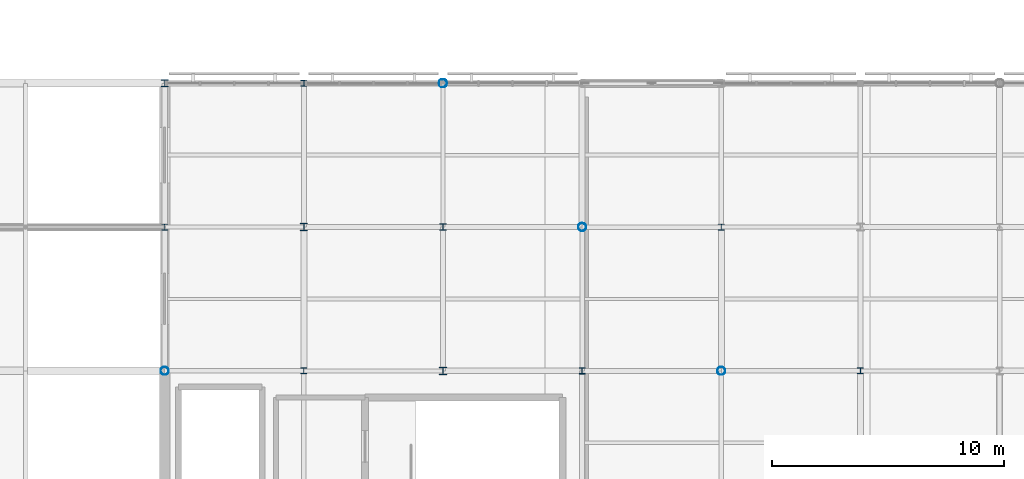
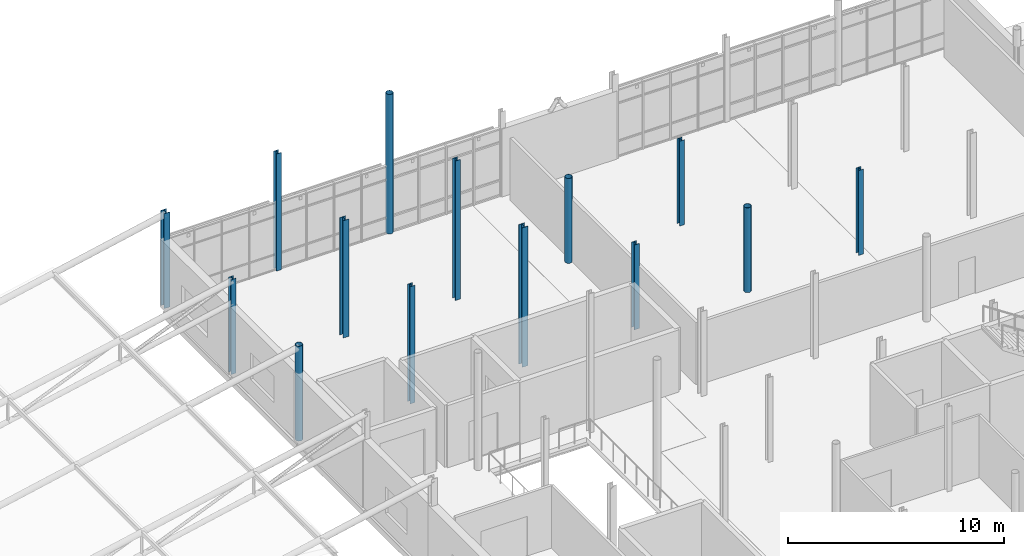
# One storey, part 6 of 84: 14 columns.
"""IFC4 building model written with IfcOpenShell, lengths in metres."""

from ifc_helpers import new_model, si_unit, direction, frame, origin, origin_2d, place, context, subcontext, project, spatial, hollow_circle, i_section, extrude, material, material_profile, profile_set, type_object, element, save


model = new_model("IFC4")

# Units and contexts
model_context = context("Model", 3, precision=1e-05, world=origin(), true_north=direction((0.0, 1.0)))
body_context = subcontext(model_context, "Body", "Model", "MODEL_VIEW")
ifc_project = project(units=[si_unit("LENGTHUNIT", "METRE"), si_unit("AREAUNIT", "SQUARE_METRE"), si_unit("VOLUMEUNIT", "CUBIC_METRE"), si_unit("PLANEANGLEUNIT", "RADIAN"), si_unit("MASSUNIT", "GRAM", prefix="KILO")], contexts=[model_context])

# Site, building, storey
site_placement = place(None, origin())
site = spatial("IfcSite", under=ifc_project, at=site_placement, CompositionType="ELEMENT")
building_placement = place(site_placement, origin())
building = spatial("IfcBuilding", under=site, at=building_placement, Name="Mirzam Square Science Centre", CompositionType="ELEMENT")
storey_placement = place(building_placement, frame((0.0, 0.0, 10.800048828125)))
storey = spatial("IfcBuildingStorey", under=building, at=storey_placement, Name="L02", CompositionType="ELEMENT", Elevation=10.800048828125)

# Columns
ifc_material = material(Name="Steel S355", Category="steel")
ifc_material_profile_1 = material_profile(ifc_material, hollow_circle(Radius=0.177734375, WallThickness=0.012451171875, at=origin_2d()), Name="355.6x12.5CHS")
ifc_profile_set_1 = profile_set([ifc_material_profile_1], Name="Steel S355")
column_type_1 = type_object("IfcColumnType", Name="COL-CHS355", PredefinedType="COLUMN", material=ifc_profile_set_1)
column_1_placement = place(storey_placement, frame((18.0, 68.199951171875, 0.0), z_axis=(0.0, 0.0, 1.0), x_axis=(1.0, 0.0, 0.0)))
element("IfcColumn", 1, at=column_1_placement, inside=storey, type_object=column_type_1, Name="L02 column G04-12", PredefinedType="COLUMN", context=body_context, shape_type="SweptSolid", body=[
    extrude(hollow_circle(Radius=0.177734375, WallThickness=0.012451171875, at=origin_2d()), origin(), (0.0, 0.0, 1.0), 5.369873046875),
])
column_2_placement = place(storey_placement, frame((30.0, 80.60009765625, 0.0), z_axis=(0.0, 0.0, 1.0), x_axis=(1.0, 0.0, 0.0)))
element("IfcColumn", 2, at=column_2_placement, inside=storey, type_object=column_type_1, Name="L02 column G06-14", PredefinedType="COLUMN", context=body_context, shape_type="SweptSolid", body=[
    extrude(hollow_circle(Radius=0.177734375, WallThickness=0.012451171875, at=origin_2d()), origin(), (0.0, 0.0, 1.0), 7.889892578125),
])
for number, where, z_axis, x_axis, name in (
    (3, (36.0, 74.39990234375, 0.0), (0.0, 0.0, 1.0), (1.0, 0.0, 0.0), "L02 column G07-13"),
    (4, (42.0, 68.199951171875, 0.0), (0.0, 0.0, 1.0), (1.0, 0.0, 0.0), "L02 column G08-12"),
):
    element("IfcColumn", number, at=place(storey_placement, frame(where, z_axis=z_axis, x_axis=x_axis)), inside=storey, type_object=column_type_1, Name=name, PredefinedType="COLUMN", context=body_context, shape_type="SweptSolid", body=[
        extrude(hollow_circle(Radius=0.177734375, WallThickness=0.012451171875, at=origin_2d()), origin(), (0.0, 0.0, 1.0), 4.800048828125),
    ])
ifc_material_profile_2 = material_profile(ifc_material, i_section(OverallWidth=0.25634765625, OverallDepth=0.26025390625, WebThickness=0.01025390625, FlangeThickness=0.017333984375, FilletRadius=0.0126953125, at=origin_2d()), Name="254x254x89UC")
ifc_profile_set_2 = profile_set([ifc_material_profile_2], Name="Steel S355")
column_type_2 = type_object("IfcColumnType", Name="COL-UC254A", PredefinedType="COLUMN", material=ifc_profile_set_2)
column_3_placement = place(storey_placement, frame((18.0, 74.39990234375, 0.0), z_axis=(0.0, 0.0, 1.0), x_axis=(1.0, 0.0, 0.0)))
element("IfcColumn", 5, at=column_3_placement, inside=storey, type_object=column_type_2, Name="L02 column G04-13", PredefinedType="COLUMN", context=body_context, shape_type="SweptSolid", body=[
    extrude(i_section(OverallWidth=0.25634765625, OverallDepth=0.26025390625, WebThickness=0.01025390625, FlangeThickness=0.017333984375, FilletRadius=0.0126953125, at=origin_2d()), origin(), (0.0, 0.0, 1.0), 5.369873046875),
])
column_4_placement = place(storey_placement, frame((24.0, 68.199951171875, 0.0), z_axis=(0.0, 0.0, 1.0), x_axis=(1.0, 0.0, 0.0)))
element("IfcColumn", 6, at=column_4_placement, inside=storey, type_object=column_type_2, Name="L02 column G05-12", PredefinedType="COLUMN", context=body_context, shape_type="SweptSolid", body=[
    extrude(i_section(OverallWidth=0.25634765625, OverallDepth=0.26025390625, WebThickness=0.01025390625, FlangeThickness=0.017333984375, FilletRadius=0.0126953125, at=origin_2d()), origin(), (0.0, 0.0, 1.0), 6.6298828125),
])
for number, where, z_axis, x_axis, name in (
    (7, (42.0, 74.39990234375, 0.0), (0.0, 0.0, 1.0), (1.0, 0.0, 0.0), "L02 column G08-13"),
    (8, (48.0, 68.199951171875, 0.0), (0.0, 0.0, 1.0), (1.0, 0.0, 0.0), "L02 column G09-12"),
):
    element("IfcColumn", number, at=place(storey_placement, frame(where, z_axis=z_axis, x_axis=x_axis)), inside=storey, type_object=column_type_2, Name=name, PredefinedType="COLUMN", context=body_context, shape_type="SweptSolid", body=[
        extrude(i_section(OverallWidth=0.25634765625, OverallDepth=0.26025390625, WebThickness=0.01025390625, FlangeThickness=0.017333984375, FilletRadius=0.0126953125, at=origin_2d()), origin(), (0.0, 0.0, 1.0), 4.800048828125),
    ])
ifc_material_profile_3 = material_profile(ifc_material, i_section(OverallWidth=0.26123046875, OverallDepth=0.2763671875, WebThickness=0.015380859375, FlangeThickness=0.025390625, FilletRadius=0.0126953125, at=origin_2d()), Name="254x254x132UC")
ifc_profile_set_3 = profile_set([ifc_material_profile_3], Name="Steel S355")
column_type_3 = type_object("IfcColumnType", Name="COL-UC254B", PredefinedType="COLUMN", material=ifc_profile_set_3)
column_5_placement = place(storey_placement, frame((24.0, 80.60009765625, 0.0), z_axis=(0.0, 0.0, 1.0), x_axis=(1.0, 0.0, 0.0)))
element("IfcColumn", 9, at=column_5_placement, inside=storey, type_object=column_type_3, Name="L02 column G05-14", PredefinedType="COLUMN", context=body_context, shape_type="SweptSolid", body=[
    extrude(i_section(OverallWidth=0.26123046875, OverallDepth=0.2763671875, WebThickness=0.015380859375, FlangeThickness=0.025390625, FilletRadius=0.0126953125, at=origin_2d()), origin(), (0.0, 0.0, 1.0), 6.6298828125),
])
column_6_placement = place(storey_placement, frame((30.0, 74.39990234375, 0.0), z_axis=(0.0, 0.0, 1.0), x_axis=(1.0, 0.0, 0.0)))
element("IfcColumn", 10, at=column_6_placement, inside=storey, type_object=column_type_3, Name="L02 column G06-13", PredefinedType="COLUMN", context=body_context, shape_type="SweptSolid", body=[
    extrude(i_section(OverallWidth=0.26123046875, OverallDepth=0.2763671875, WebThickness=0.015380859375, FlangeThickness=0.025390625, FilletRadius=0.0126953125, at=origin_2d()), origin(), (0.0, 0.0, 1.0), 7.889892578125),
])
column_7_placement = place(storey_placement, frame((36.0, 68.199951171875, 0.0), z_axis=(0.0, 0.0, 1.0), x_axis=(1.0, 0.0, 0.0)))
element("IfcColumn", 11, at=column_7_placement, inside=storey, type_object=column_type_3, Name="L02 column G07-12", PredefinedType="COLUMN", context=body_context, shape_type="SweptSolid", body=[
    extrude(i_section(OverallWidth=0.26123046875, OverallDepth=0.2763671875, WebThickness=0.015380859375, FlangeThickness=0.025390625, FilletRadius=0.0126953125, at=origin_2d()), origin(), (0.0, 0.0, 1.0), 4.800048828125),
])
ifc_material_profile_4 = material_profile(ifc_material, i_section(OverallWidth=0.30908203125, OverallDepth=0.320556640625, WebThickness=0.013916015625, FlangeThickness=0.021728515625, FilletRadius=0.01513671875, at=origin_2d()), Name="305x305x137UC")
ifc_profile_set_4 = profile_set([ifc_material_profile_4], Name="Steel S355")
column_type_4 = type_object("IfcColumnType", Name="COL-UC305A", PredefinedType="COLUMN", material=ifc_profile_set_4)
column_8_placement = place(storey_placement, frame((18.0, 80.60009765625, 0.0), z_axis=(0.0, 0.0, 1.0), x_axis=(1.0, 0.0, 0.0)))
element("IfcColumn", 12, at=column_8_placement, inside=storey, type_object=column_type_4, Name="L02 column G04-14", PredefinedType="COLUMN", context=body_context, shape_type="SweptSolid", body=[
    extrude(i_section(OverallWidth=0.30908203125, OverallDepth=0.320556640625, WebThickness=0.013916015625, FlangeThickness=0.021728515625, FilletRadius=0.01513671875, at=origin_2d()), origin(), (0.0, 0.0, 1.0), 5.369873046875),
])
column_9_placement = place(storey_placement, frame((24.0, 74.39990234375, 0.0), z_axis=(0.0, 0.0, 1.0), x_axis=(1.0, 0.0, 0.0)))
element("IfcColumn", 13, at=column_9_placement, inside=storey, type_object=column_type_4, Name="L02 column G05-13", PredefinedType="COLUMN", context=body_context, shape_type="SweptSolid", body=[
    extrude(i_section(OverallWidth=0.30908203125, OverallDepth=0.320556640625, WebThickness=0.013916015625, FlangeThickness=0.021728515625, FilletRadius=0.01513671875, at=origin_2d()), origin(), (0.0, 0.0, 1.0), 6.6298828125),
])
column_10_placement = place(storey_placement, frame((30.0, 68.199951171875, 0.0), z_axis=(0.0, 0.0, 1.0), x_axis=(1.0, 0.0, 0.0)))
element("IfcColumn", 14, at=column_10_placement, inside=storey, type_object=column_type_4, Name="L02 column G06-12", PredefinedType="COLUMN", context=body_context, shape_type="SweptSolid", body=[
    extrude(i_section(OverallWidth=0.30908203125, OverallDepth=0.320556640625, WebThickness=0.013916015625, FlangeThickness=0.021728515625, FilletRadius=0.01513671875, at=origin_2d()), origin(), (0.0, 0.0, 1.0), 7.889892578125),
])

save(model, "model.ifc")
